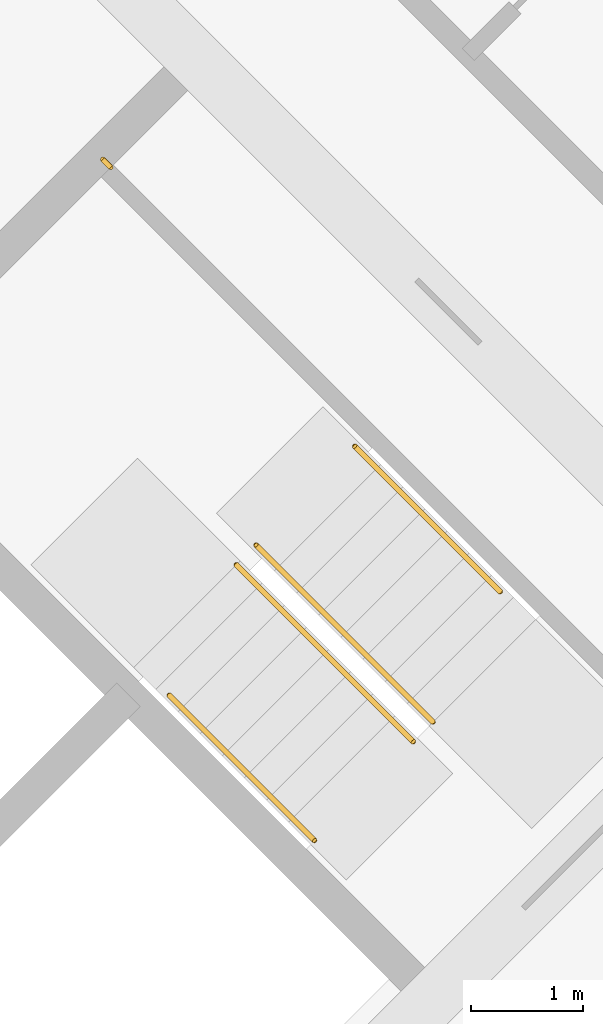
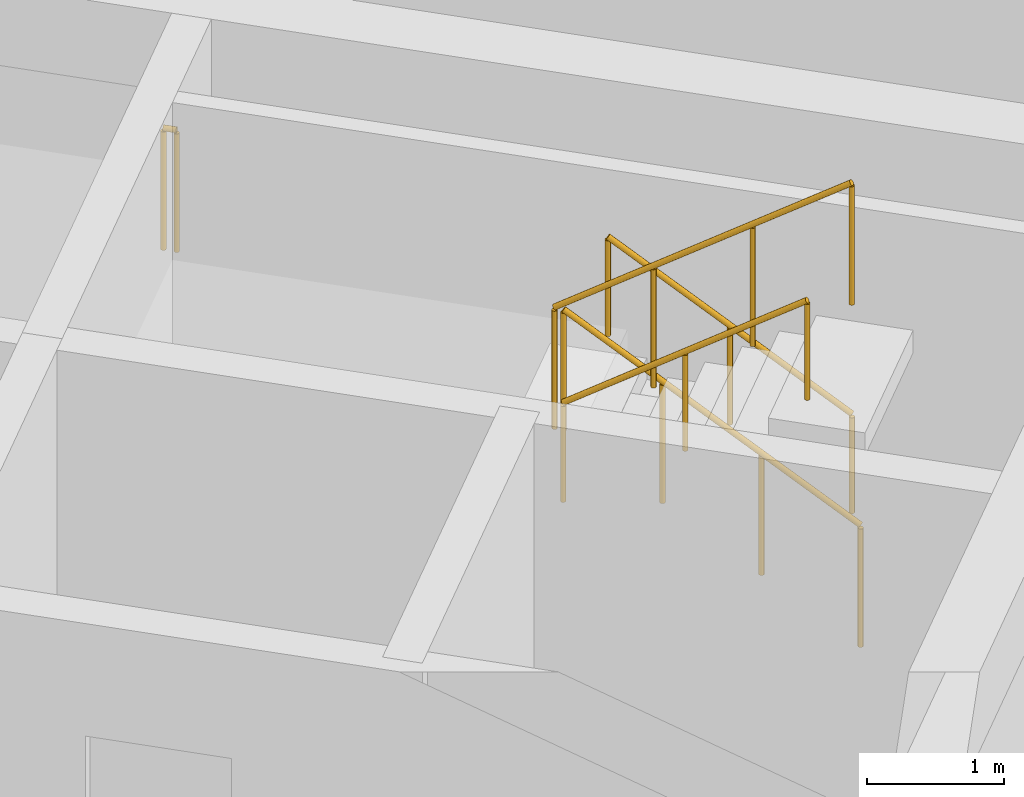
# One storey, part 12 of 12: 5 railings.
"""IFC4 building model written with IfcOpenShell, lengths in metres."""

from ifc_helpers import new_model, si_unit, direction, frame, origin, origin_2d, place, context, subcontext, project, spatial, circle, extrude, material, type_object, element, save


model = new_model("IFC4")

# Units and contexts
model_context = context("Model", 3, precision=1e-05, world=origin(), true_north=direction((0.0, 1.0)))
body_context = subcontext(model_context, "Body", "Model", "MODEL_VIEW")
ifc_project = project(units=[si_unit("LENGTHUNIT", "METRE"), si_unit("AREAUNIT", "SQUARE_METRE"), si_unit("VOLUMEUNIT", "CUBIC_METRE"), si_unit("PLANEANGLEUNIT", "RADIAN"), si_unit("MASSUNIT", "GRAM", prefix="KILO")], contexts=[model_context])

# Site, building, storey
site_placement = place(None, origin())
site = spatial("IfcSite", under=ifc_project, at=site_placement, CompositionType="ELEMENT")
building_placement = place(site_placement, origin())
building = spatial("IfcBuilding", under=site, at=building_placement, Name="Windrow Commons", CompositionType="ELEMENT")
storey_placement = place(building_placement, frame((0.0, 0.0, 210.0)))
storey = spatial("IfcBuildingStorey", under=building, at=storey_placement, Name="L57", CompositionType="ELEMENT", Elevation=210.0)

# Railings
ifc_material_1 = material(Name="Steel S355", Category="steel")
railing_type_1 = type_object("IfcRailingType", Name="Core stair guard 1100", PredefinedType="GUARDRAIL", material=ifc_material_1)
railing_1_placement = place(storey_placement, frame((94.2296, 48.4215, 0.1889)))
element("IfcRailing", 1, at=railing_1_placement, inside=storey, type_object=railing_type_1, Name="L57 ST-B2 stair guard 1", PredefinedType="GUARDRAIL", context=body_context, shape_type="SweptSolid", body=[
    extrude(circle(Radius=0.024, at=origin_2d()), frame((0.0, 0.0, 1.076), z_axis=(-0.5862157828, 0.5861787742, 0.5592365337), x_axis=(-0.7070844598, -0.7071291018, 0.0)), (0.0, 0.0, 1.0), 2.7021),
    extrude(circle(Radius=0.021, at=origin_2d()), origin(), (0.0, 0.0, 1.0), 1.052),
    extrude(circle(Radius=0.021, at=origin_2d()), frame((-0.528, 0.528, 0.5037)), (0.0, 0.0, 1.0), 1.052),
    extrude(circle(Radius=0.021, at=origin_2d()), frame((-1.056, 1.0559, 1.0074)), (0.0, 0.0, 1.0), 1.052),
    extrude(circle(Radius=0.021, at=origin_2d()), frame((-1.584, 1.5839, 1.5111)), (0.0, 0.0, 1.0), 1.052),
])
railing_2_placement = place(storey_placement, frame((92.4689, 49.8287, 1.8889)))
element("IfcRailing", 2, at=railing_2_placement, inside=storey, type_object=railing_type_1, Name="L57 ST-B2 stair guard 2", PredefinedType="GUARDRAIL", context=body_context, shape_type="SweptSolid", body=[
    extrude(circle(Radius=0.024, at=origin_2d()), frame((0.0, 0.0, 1.076), z_axis=(0.5861787742, -0.5862157828, 0.5592365337), x_axis=(0.7071291018, 0.7070844598, 0.0)), (0.0, 0.0, 1.0), 2.7021),
    extrude(circle(Radius=0.021, at=origin_2d()), origin(), (0.0, 0.0, 1.0), 1.052),
    extrude(circle(Radius=0.021, at=origin_2d()), frame((0.528, -0.528, 0.5037)), (0.0, 0.0, 1.0), 1.052),
    extrude(circle(Radius=0.021, at=origin_2d()), frame((1.0559, -1.056, 1.0074)), (0.0, 0.0, 1.0), 1.052),
    extrude(circle(Radius=0.021, at=origin_2d()), frame((1.5839, -1.584, 1.5111)), (0.0, 0.0, 1.0), 1.052),
])
railing_3_placement = place(storey_placement, frame((91.3446, 53.3854, 1.7)))
element("IfcRailing", 3, at=railing_3_placement, inside=storey, type_object=railing_type_1, Name="L57 ST-B2 stair guard 3", PredefinedType="GUARDRAIL", context=body_context, shape_type="SweptSolid", body=[
    extrude(circle(Radius=0.024, at=origin_2d()), frame((0.0, 0.0, 1.076), z_axis=(-0.7076063266, 0.7066068826, 0.0), x_axis=(-0.7066068826, -0.7076063266, 0.0)), (0.0, 0.0, 1.0), 0.1001),
    extrude(circle(Radius=0.021, at=origin_2d()), origin(), (0.0, 0.0, 1.0), 1.052),
    extrude(circle(Radius=0.021, at=origin_2d()), frame((-0.0708, 0.0707, 0.0)), (0.0, 0.0, 1.0), 1.052),
])
ifc_material_2 = material(Name="Steel S355", Category="steel")
railing_type_2 = type_object("IfcRailingType", Name="Core stair handrail 900", PredefinedType="HANDRAIL", material=ifc_material_2)
railing_4_placement = place(storey_placement, frame((94.8306, 49.5883, 0.4587)))
element("IfcRailing", 4, at=railing_4_placement, inside=storey, type_object=railing_type_2, Name="L57 ST-B2 stair handrail 1", PredefinedType="HANDRAIL", context=body_context, shape_type="SweptSolid", body=[
    extrude(circle(Radius=0.024, at=origin_2d()), frame((0.0, 0.0, 0.876), z_axis=(-0.586206706, 0.5861616513, 0.5592639952), x_axis=(-0.7070796062, -0.7071339551, 0.0)), (0.0, 0.0, 1.0), 2.2195),
    extrude(circle(Radius=0.021, at=origin_2d()), origin(), (0.0, 0.0, 1.0), 0.852),
    extrude(circle(Radius=0.021, at=origin_2d()), frame((-0.6506, 0.6505, 0.6206)), (0.0, 0.0, 1.0), 0.852),
    extrude(circle(Radius=0.021, at=origin_2d()), frame((-1.3011, 1.301, 1.2413)), (0.0, 0.0, 1.0), 0.852),
])
railing_5_placement = place(storey_placement, frame((91.8678, 48.6619, 2.1587)))
element("IfcRailing", 5, at=railing_5_placement, inside=storey, type_object=railing_type_2, Name="L57 ST-B2 stair handrail 2", PredefinedType="HANDRAIL", context=body_context, shape_type="SweptSolid", body=[
    extrude(circle(Radius=0.024, at=origin_2d()), frame((0.0, 0.0, 0.876), z_axis=(0.586206706, -0.5861616513, 0.5592639952), x_axis=(0.7070796062, 0.7071339551, 0.0)), (0.0, 0.0, 1.0), 2.2195),
    extrude(circle(Radius=0.021, at=origin_2d()), origin(), (0.0, 0.0, 1.0), 0.852),
    extrude(circle(Radius=0.021, at=origin_2d()), frame((0.6505, -0.6505, 0.6206)), (0.0, 0.0, 1.0), 0.852),
    extrude(circle(Radius=0.021, at=origin_2d()), frame((1.3011, -1.301, 1.2413)), (0.0, 0.0, 1.0), 0.852),
])

save(model, "model.ifc")
